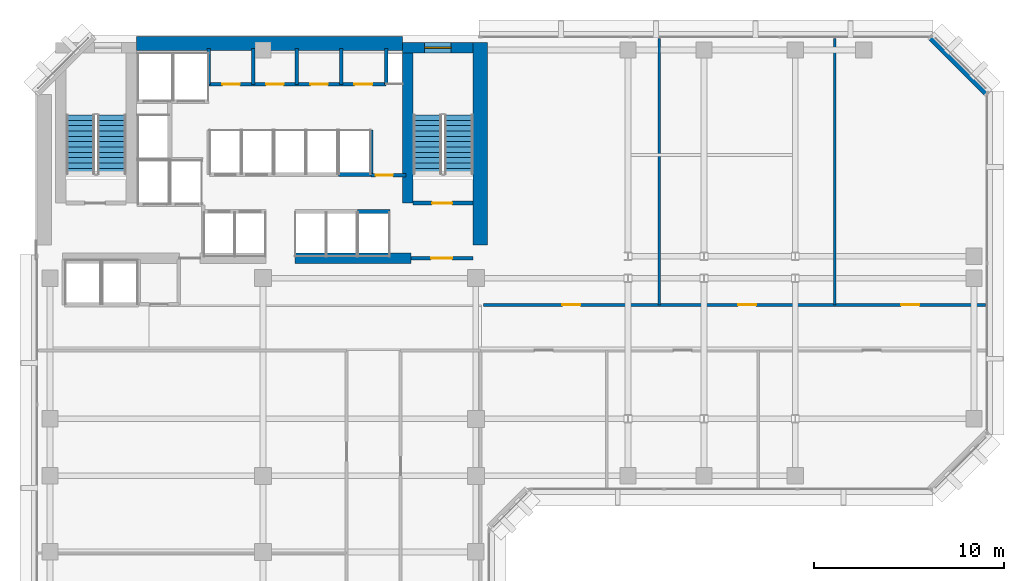
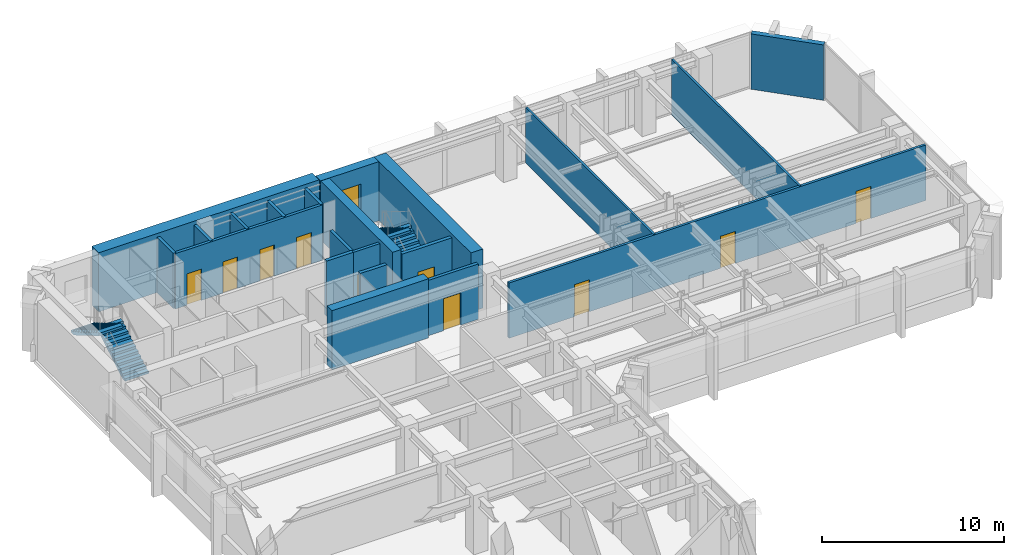
# One storey, part 8 of 12: 21 walls, 10 doors, 4 stair flights, 1 window, 11 openings, 2 elements without a shape of their own.
"""IFC4 building model written with IfcOpenShell, lengths in metres."""

from ifc_helpers import new_model, si_unit, direction, frame, frame_2d, origin, place, context, subcontext, project, spatial, polyline, rectangle, outline, extrude, material, layer, layer_set, type_object, element, fill, aggregate, save


model = new_model("IFC4")

# Units and contexts
model_context = context("Model", 3, precision=1e-05, world=origin(), true_north=direction((0.0, 1.0)))
body_context = subcontext(model_context, "Body", "Model", "MODEL_VIEW")
ifc_project = project(units=[si_unit("LENGTHUNIT", "METRE"), si_unit("AREAUNIT", "SQUARE_METRE"), si_unit("VOLUMEUNIT", "CUBIC_METRE"), si_unit("PLANEANGLEUNIT", "RADIAN"), si_unit("MASSUNIT", "GRAM", prefix="KILO")], contexts=[model_context])

# Site, building, storey
site_placement = place(None, origin())
site = spatial("IfcSite", under=ifc_project, at=site_placement, CompositionType="ELEMENT")
building_placement = place(site_placement, origin())
building = spatial("IfcBuilding", under=site, at=building_placement, Name="Kefirva Bronze Tower", CompositionType="ELEMENT")
storey_placement = place(building_placement, frame((0.0, 0.0, 126.389892578125)))
storey = spatial("IfcBuildingStorey", under=building, at=storey_placement, Name="L30", CompositionType="ELEMENT", Elevation=126.389892578125)

# Walls
ifc_material_1 = material(Name="Gypsum acoustic partition")
ifc_layer_1 = layer(ifc_material_1, 0.1298828125, Name="Gypsum acoustic partition")
ifc_layer_set_1 = layer_set([ifc_layer_1], Name="Gypsum acoustic partition")
wall_type_1 = type_object("IfcWallType", Name="Acoustic Office Partition 130mm", PredefinedType="PARTITIONING", material=ifc_layer_set_1)
for number, where, z_axis, x_axis, name in (
    (1, (32.843505859375, 31.800048828125, 0.0), (0.0, 0.0, 1.0), (0.0, 1.0, 0.0), "L30 Partition W-L30-END1"),
    (2, (42.0869140625, 31.800048828125, 0.0), (0.0, 0.0, 1.0), (0.0, 1.0, 0.0), "L30 Partition W-L30-END2"),
):
    element("IfcWall", number, at=place(storey_placement, frame(where, z_axis=z_axis, x_axis=x_axis)), inside=storey, type_object=wall_type_1, Name=name, PredefinedType="PARTITIONING", context=body_context, shape_type="SweptSolid", body=[
        extrude(rectangle(XDim=14.010009765625, YDim=0.1298828125, at=frame_2d((7.0048828125, 0.0))), origin(), (0.0, 0.0, 1.0), 3.710205078125),
    ])

# Wall, opening, door
ifc_material_2 = material(Name="Gypsum fireboard shaftwall")
ifc_layer_2 = layer(ifc_material_2, 0.219970703125, Name="Gypsum fireboard shaftwall")
ifc_layer_set_2 = layer_set([ifc_layer_2], Name="Gypsum fireboard shaftwall")
wall_type_2 = type_object("IfcWallType", Name="Fire-Rated Shaft Enclosure Wall 220mm", PredefinedType="PARTITIONING", material=ifc_layer_set_2)
wall_1_placement = place(storey_placement, frame((19.89990234375, 37.14990234375, 0.0), z_axis=(0.0, 0.0, 1.0), x_axis=(1.0, 0.0, 0.0)))
wall_1 = element("IfcWall", 3, at=wall_1_placement, inside=storey, type_object=wall_type_2, Name="L30 Partition W-L30-ST2S", PredefinedType="PARTITIONING", context=body_context, shape_type="SweptSolid", body=[
    extrude(rectangle(XDim=3.150146484375, YDim=0.219970703125, at=frame_2d((1.5751953125, 0.0))), origin(), (0.0, 0.0, 1.0), 3.710205078125),
])
opening_1_placement = place(wall_1_placement, frame((2.050048828125, 0.0, 0.0), z_axis=(0.0, 0.0, 1.0), x_axis=(-1.0, 0.0, 0.0)))
opening_1 = element("IfcOpeningElement", 4, at=opening_1_placement, cuts=wall_1, Name="Opening L30-D003", PredefinedType="OPENING", context=body_context, shape_type="SweptSolid", body=[
    extrude(rectangle(XDim=1.050048828125, YDim=2.14990234375, at=frame_2d((0.52490234375, 1.074951171875))), frame((0.0, 0.1201171875, 0.0), z_axis=(0.0, -1.0, 0.0), x_axis=(1.0, 0.0, 0.0)), (0.0, 0.0, 1.0), 0.239990234375),
])
ifc_material_3 = material(Name="Painted galvanized steel", Category="steel")
door_type_1 = type_object("IfcDoorType", Name="Fire Stair Enclosure Door 1050x2150 FD90S", OperationType="NOTDEFINED", PredefinedType="DOOR", material=ifc_material_3)
door_1_placement = place(opening_1_placement, origin())
door_1 = element("IfcDoor", 5, at=door_1_placement, inside=storey, type_object=door_type_1, Name="Door L30-D003", OperationType="SINGLE_SWING_RIGHT", OverallHeight=2.14990234375, OverallWidth=1.050048828125, PredefinedType="DOOR", context=body_context, shape_type="SweptSolid", body=[
    extrude(rectangle(XDim=1.050048828125, YDim=2.14990234375, at=frame_2d((0.52490234375, 1.074951171875))), frame((0.0, 0.02490234375, 0.0), z_axis=(0.0, -1.0, 0.0), x_axis=(1.0, 0.0, 0.0)), (0.0, 0.0, 1.0), 0.050048828125),
])
fill(opening_1, door_1)

# Walls
wall_2_placement = place(storey_placement, frame((17.679931640625, 38.64990234375, 0.0), z_axis=(0.0, 0.0, 1.0), x_axis=(0.0, 1.0, 0.0)))
element("IfcWall", 6, at=wall_2_placement, inside=storey, type_object=wall_type_2, Name="L30 Partition W-L30-HP2E", PredefinedType="PARTITIONING", context=body_context, shape_type="SweptSolid", body=[
    extrude(rectangle(XDim=2.35009765625, YDim=0.199951171875, at=frame_2d((1.175048828125, 0.0))), origin(), (0.0, 0.0, 1.0), 3.710205078125),
])
wall_3_placement = place(storey_placement, frame((16.97998046875, 36.699951171875, 0.0), z_axis=(0.0, 0.0, 1.0), x_axis=(1.0, 0.0, 0.0)))
element("IfcWall", 7, at=wall_3_placement, inside=storey, type_object=wall_type_2, Name="L30 Partition W-L30-HPS", PredefinedType="PARTITIONING", context=body_context, shape_type="SweptSolid", body=[
    extrude(rectangle(XDim=1.699951171875, YDim=0.219970703125, at=frame_2d((0.85009765625, 0.0))), origin(), (0.0, 0.0, 1.0), 3.710205078125),
])
wall_4_placement = place(storey_placement, frame((15.97998046875, 38.64990234375, 0.0), z_axis=(0.0, 0.0, 1.0), x_axis=(1.0, 0.0, 0.0)))
element("IfcWall", 8, at=wall_4_placement, inside=storey, type_object=wall_type_2, Name="L30 Partition W-L30-HPN", PredefinedType="PARTITIONING", context=body_context, shape_type="SweptSolid", body=[
    extrude(rectangle(XDim=1.719970703125, YDim=0.219970703125, at=frame_2d((0.85986328125, 0.0))), origin(), (0.0, 0.0, 1.0), 3.710205078125),
])

# Wall, opening, door
ifc_material_4 = material(Name="Gypsum fireboard barrier")
ifc_layer_3 = layer(ifc_material_4, 0.199951171875, Name="Gypsum fireboard barrier")
ifc_layer_set_3 = layer_set([ifc_layer_3], Name="Gypsum fireboard barrier")
wall_type_3 = type_object("IfcWallType", Name="Firefighting Lobby Barrier Wall 200mm", PredefinedType="PARTITIONING", material=ifc_layer_set_3)
wall_5_placement = place(storey_placement, frame((19.800048828125, 34.25, 0.0), z_axis=(0.0, 0.0, 1.0), x_axis=(1.0, 0.0, 0.0)))
wall_5 = element("IfcWall", 9, at=wall_5_placement, inside=storey, type_object=wall_type_3, Name="L30 Partition W-L30-ST2F", PredefinedType="PARTITIONING", context=body_context, shape_type="SweptSolid", body=[
    extrude(rectangle(XDim=3.25, YDim=0.199951171875, at=frame_2d((1.625, 0.0))), origin(), (0.0, 0.0, 1.0), 3.710205078125),
])
opening_2_placement = place(wall_5_placement, frame((2.150146484375, 0.0, 0.0), z_axis=(0.0, 0.0, 1.0), x_axis=(-1.0, 0.0, 0.0)))
opening_2 = element("IfcOpeningElement", 10, at=opening_2_placement, cuts=wall_5, Name="Opening L30-D004", PredefinedType="OPENING", context=body_context, shape_type="SweptSolid", body=[
    extrude(rectangle(XDim=1.10009765625, YDim=2.14990234375, at=frame_2d((0.550048828125, 1.074951171875))), frame((0.0, 0.10986328125, 0.0), z_axis=(0.0, -1.0, 0.0), x_axis=(1.0, 0.0, 0.0)), (0.0, 0.0, 1.0), 0.219970703125),
])
door_type_2 = type_object("IfcDoorType", Name="Firefighting Lobby Smoke Door 1100x2150 FD60S", OperationType="NOTDEFINED", PredefinedType="DOOR", material=ifc_material_3)
door_2_placement = place(opening_2_placement, origin())
door_2 = element("IfcDoor", 11, at=door_2_placement, inside=storey, type_object=door_type_2, Name="Door L30-D004", OperationType="SINGLE_SWING_LEFT", OverallHeight=2.14990234375, OverallWidth=1.10009765625, PredefinedType="DOOR", context=body_context, shape_type="SweptSolid", body=[
    extrude(rectangle(XDim=1.10009765625, YDim=2.14990234375, at=frame_2d((0.550048828125, 1.074951171875))), frame((0.0, 0.02490234375, 0.0), z_axis=(0.0, -1.0, 0.0), x_axis=(1.0, 0.0, 0.0)), (0.0, 0.0, 1.0), 0.050048828125),
])
fill(opening_2, door_2)

wall_6_placement = place(storey_placement, frame((17.679931640625, 38.6201171875, 0.0), z_axis=(0.0, 0.0, 1.0), x_axis=(1.0, 0.0, 0.0)))
wall_6 = element("IfcWall", 12, at=wall_6_placement, inside=storey, type_object=wall_type_3, Name="L30 Partition W-L30-CPASS", PredefinedType="PARTITIONING", context=body_context, shape_type="SweptSolid", body=[
    extrude(rectangle(XDim=1.840087890625, YDim=0.179931640625, at=frame_2d((0.919921875, 0.0))), origin(), (0.0, 0.0, 1.0), 3.710205078125),
])
opening_3_placement = place(wall_6_placement, frame((0.239990234375, 0.0, 0.0)))
opening_3 = element("IfcOpeningElement", 13, at=opening_3_placement, cuts=wall_6, Name="Opening L30-D-CPAS", PredefinedType="OPENING", context=body_context, shape_type="SweptSolid", body=[
    extrude(rectangle(XDim=0.919921875, YDim=2.10009765625, at=frame_2d((0.4599609375, 1.050048828125))), frame((0.0, 0.10009765625, 0.0), z_axis=(0.0, -1.0, 0.0), x_axis=(1.0, 0.0, 0.0)), (0.0, 0.0, 1.0), 0.199951171875),
])
ifc_material_5 = material(Name="Moisture-resistant timber", Category="wood")
door_type_3 = type_object("IfcDoorType", Name="Accessible Sanitary & WC Door 920x2100", OperationType="NOTDEFINED", PredefinedType="DOOR", material=ifc_material_5)
door_3_placement = place(opening_3_placement, origin())
door_3 = element("IfcDoor", 14, at=door_3_placement, inside=storey, type_object=door_type_3, Name="Door L30-D-CPAS", OperationType="SINGLE_SWING_RIGHT", OverallHeight=2.10009765625, OverallWidth=0.919921875, PredefinedType="DOOR", context=body_context, shape_type="SweptSolid", body=[
    extrude(rectangle(XDim=0.919921875, YDim=2.10009765625, at=frame_2d((0.4599609375, 1.050048828125))), frame((0.0, 0.02490234375, 0.0), z_axis=(0.0, -1.0, 0.0), x_axis=(1.0, 0.0, 0.0)), (0.0, 0.0, 1.0), 0.050048828125),
])
fill(opening_3, door_3)

# Wall
ifc_material_6 = material(Name="Precast concrete C40/50", Category="concrete")
ifc_layer_4 = layer(ifc_material_6, 0.320068359375, Name="Precast concrete C40/50")
ifc_layer_set_4 = layer_set([ifc_layer_4], Name="Precast concrete C40/50")
wall_type_4 = type_object("IfcWallType", Name="Precast Insulated Exterior Wall 320mm", PredefinedType="SOLIDWALL", material=ifc_layer_set_4)
wall_7_placement = place(storey_placement, frame((50.048095703125, 42.92578125, 0.0), z_axis=(0.0, 0.0, 1.0), x_axis=(-0.707136318428, 0.707077242712, 0.0)))
element("IfcWall", 15, at=wall_7_placement, inside=storey, type_object=wall_type_4, Name="L30 Exterior Facade Wall 4", PredefinedType="SOLIDWALL", context=body_context, shape_type="SweptSolid", body=[
    extrude(rectangle(XDim=4.132568359375, YDim=0.320068359375, at=frame_2d((2.06640625, 0.0))), origin(), (0.0, 0.0, 1.0), 3.710205078125),
])

# Wall, openings, doors
ifc_layer_5 = layer(ifc_material_1, 0.159912109375, Name="Gypsum acoustic partition")
ifc_layer_set_5 = layer_set([ifc_layer_5], Name="Gypsum acoustic partition")
wall_type_5 = type_object("IfcWallType", Name="Protected Corridor Partition 160mm", PredefinedType="PARTITIONING", material=ifc_layer_set_5)
wall_8_placement = place(storey_placement, frame((23.60009765625, 31.800048828125, 0.0), z_axis=(0.0, 0.0, 1.0), x_axis=(1.0, 0.0, 0.0)))
wall_8 = element("IfcWall", 16, at=wall_8_placement, inside=storey, type_object=wall_type_5, Name="L30 Partition W-L30-EWN", PredefinedType="PARTITIONING", context=body_context, shape_type="SweptSolid", body=[
    extrude(rectangle(XDim=26.409912109375, YDim=0.159912109375, at=frame_2d((13.205078125, 0.0))), origin(), (0.0, 0.0, 1.0), 3.710205078125),
])
opening_4_placement = place(wall_8_placement, frame((4.146728515625, 0.0, 0.0)))
opening_4 = element("IfcOpeningElement", 17, at=opening_4_placement, cuts=wall_8, Name="Opening L30-D-EN1", PredefinedType="OPENING", context=body_context, shape_type="SweptSolid", body=[
    extrude(rectangle(XDim=0.949951171875, YDim=2.14990234375, at=frame_2d((0.47509765625, 1.074951171875))), frame((0.0, 0.08984375, 0.0), z_axis=(0.0, -1.0, 0.0), x_axis=(1.0, 0.0, 0.0)), (0.0, 0.0, 1.0), 0.179931640625),
])
opening_5_placement = place(wall_8_placement, frame((13.39013671875, 0.0, 0.0)))
opening_5 = element("IfcOpeningElement", 18, at=opening_5_placement, cuts=wall_8, Name="Opening L30-D-EN2", PredefinedType="OPENING", context=body_context, shape_type="SweptSolid", body=[
    extrude(rectangle(XDim=0.949951171875, YDim=2.14990234375, at=frame_2d((0.47509765625, 1.074951171875))), frame((0.0, 0.08984375, 0.0), z_axis=(0.0, -1.0, 0.0), x_axis=(1.0, 0.0, 0.0)), (0.0, 0.0, 1.0), 0.179931640625),
])
opening_6_placement = place(wall_8_placement, frame((21.973388671875, 0.0, 0.0)))
opening_6 = element("IfcOpeningElement", 19, at=opening_6_placement, cuts=wall_8, Name="Opening L30-D-EN3", PredefinedType="OPENING", context=body_context, shape_type="SweptSolid", body=[
    extrude(rectangle(XDim=0.949951171875, YDim=2.14990234375, at=frame_2d((0.47509765625, 1.074951171875))), frame((0.0, 0.08984375, 0.0), z_axis=(0.0, -1.0, 0.0), x_axis=(1.0, 0.0, 0.0)), (0.0, 0.0, 1.0), 0.179931640625),
])
ifc_material_7 = material(Name="Acoustic hardwood oak", Category="wood")
door_type_4 = type_object("IfcDoorType", Name="Office & Meeting Room Door 950x2150", OperationType="NOTDEFINED", PredefinedType="DOOR", material=ifc_material_7)
door_4_placement = place(opening_4_placement, origin())
door_4 = element("IfcDoor", 20, at=door_4_placement, inside=storey, type_object=door_type_4, Name="Door L30-D-EN1", OperationType="SINGLE_SWING_LEFT", OverallHeight=2.14990234375, OverallWidth=0.949951171875, PredefinedType="DOOR", context=body_context, shape_type="SweptSolid", body=[
    extrude(rectangle(XDim=0.949951171875, YDim=2.14990234375, at=frame_2d((0.47509765625, 1.074951171875))), frame((0.0, 0.02490234375, 0.0), z_axis=(0.0, -1.0, 0.0), x_axis=(1.0, 0.0, 0.0)), (0.0, 0.0, 1.0), 0.050048828125),
])
fill(opening_4, door_4)
door_5_placement = place(opening_5_placement, origin())
door_5 = element("IfcDoor", 21, at=door_5_placement, inside=storey, type_object=door_type_4, Name="Door L30-D-EN2", OperationType="SINGLE_SWING_RIGHT", OverallHeight=2.14990234375, OverallWidth=0.949951171875, PredefinedType="DOOR", context=body_context, shape_type="SweptSolid", body=[
    extrude(rectangle(XDim=0.949951171875, YDim=2.14990234375, at=frame_2d((0.47509765625, 1.074951171875))), frame((0.0, 0.02490234375, 0.0), z_axis=(0.0, -1.0, 0.0), x_axis=(1.0, 0.0, 0.0)), (0.0, 0.0, 1.0), 0.050048828125),
])
fill(opening_5, door_5)
door_6_placement = place(opening_6_placement, origin())
door_6 = element("IfcDoor", 22, at=door_6_placement, inside=storey, type_object=door_type_4, Name="Door L30-D-EN3", OperationType="SINGLE_SWING_LEFT", OverallHeight=2.14990234375, OverallWidth=0.949951171875, PredefinedType="DOOR", context=body_context, shape_type="SweptSolid", body=[
    extrude(rectangle(XDim=0.949951171875, YDim=2.14990234375, at=frame_2d((0.47509765625, 1.074951171875))), frame((0.0, 0.02490234375, 0.0), z_axis=(0.0, -1.0, 0.0), x_axis=(1.0, 0.0, 0.0)), (0.0, 0.0, 1.0), 0.050048828125),
])
fill(opening_6, door_6)

# Wall, opening, window
ifc_material_8 = material(Name="Concrete C50/60", Category="concrete")
ifc_layer_6 = layer(ifc_material_8, 0.550048828125, Name="Concrete C50/60")
ifc_layer_set_6 = layer_set([ifc_layer_6], Name="Concrete C50/60")
wall_type_6 = type_object("IfcWallType", Name="RC Rear Core Exterior Wall 550mm", PredefinedType="SHEAR", material=ifc_layer_set_6)
wall_9_placement = place(storey_placement, frame((19.35009765625, 45.320068359375, 0.0), z_axis=(0.0, 0.0, 1.0), x_axis=(1.0, 0.0, 0.0)))
wall_9 = element("IfcWall", 23, at=wall_9_placement, inside=storey, type_object=wall_type_6, Name="L30 Stair 2 North Shear Wall", PredefinedType="SHEAR", context=body_context, shape_type="SweptSolid", body=[
    extrude(rectangle(XDim=3.68994140625, YDim=0.550048828125, at=frame_2d((1.844970703125, 0.0))), origin(), (0.0, 0.0, 1.0), 3.960205078125),
])
opening_7_placement = place(wall_9_placement, frame((1.14990234375, 0.0, 1.050048828125)))
opening_7 = element("IfcOpeningElement", 24, at=opening_7_placement, cuts=wall_9, Name="Opening WN-03", PredefinedType="OPENING", context=body_context, shape_type="SweptSolid", body=[
    extrude(rectangle(XDim=1.39990234375, YDim=1.800048828125, at=frame_2d((0.699951171875, 0.89990234375))), frame((0.0, 0.28515625, 0.0), z_axis=(0.0, -1.0, 0.0), x_axis=(1.0, 0.0, 0.0)), (0.0, 0.0, 1.0), 0.570068359375),
])
ifc_material_9 = material(Name="Laminated low-E double glazing", Category="glass")
window_type = type_object("IfcWindowType", Name="Rear-Core Stair Daylight Window 1400x1800", PartitioningType="SINGLE_PANEL", PredefinedType="WINDOW", material=ifc_material_9)
window_placement = place(opening_7_placement, origin())
window = element("IfcWindow", 25, at=window_placement, inside=storey, type_object=window_type, Name="L30 Stair 2 Daylight Window", OverallHeight=1.800048828125, OverallWidth=1.39990234375, PartitioningType="SINGLE_PANEL", PredefinedType="WINDOW", context=body_context, shape_type="SweptSolid", body=[
    extrude(rectangle(XDim=1.39990234375, YDim=1.800048828125, at=frame_2d((0.699951171875, 0.89990234375))), frame((0.0, 0.030029296875, 0.0), z_axis=(0.0, -1.0, 0.0), x_axis=(1.0, 0.0, 0.0)), (0.0, 0.0, 1.0), 0.06005859375),
])
fill(opening_7, window)

# Walls
ifc_material_10 = material(Name="Concrete C60/75", Category="concrete")
ifc_layer_7 = layer(ifc_material_10, 0.75, Name="Concrete C60/75")
ifc_layer_set_7 = layer_set([ifc_layer_7], Name="Concrete C60/75")
wall_type_7 = type_object("IfcWallType", Name="RC Rear Core Exterior Wall 750mm", PredefinedType="SHEAR", material=ifc_layer_set_7)
wall_10_placement = place(storey_placement, frame((5.360107421875, 45.550048828125, 0.0), z_axis=(0.0, 0.0, 1.0), x_axis=(1.0, 0.0, 0.0)))
element("IfcWall", 26, at=wall_10_placement, inside=storey, type_object=wall_type_7, Name="L30 Rear Core North Shear Wall", PredefinedType="SHEAR", context=body_context, shape_type="SweptSolid", body=[
    extrude(rectangle(XDim=13.97998046875, YDim=0.75, at=frame_2d((6.989990234375, 0.0))), origin(), (0.0, 0.0, 1.0), 3.960205078125),
])
ifc_layer_8 = layer(ifc_material_8, 0.550048828125, Name="Concrete C50/60")
ifc_layer_set_8 = layer_set([ifc_layer_8], Name="Concrete C50/60")
wall_type_8 = type_object("IfcWallType", Name="RC Rear Core Interior Wall 550mm", PredefinedType="SHEAR", material=ifc_layer_set_8)
wall_11_placement = place(storey_placement, frame((19.6201171875, 37.14990234375, 0.0), z_axis=(0.0, 0.0, 1.0), x_axis=(0.0, 1.0, 0.0)))
element("IfcWall", 27, at=wall_11_placement, inside=storey, type_object=wall_type_8, Name="L30 Stair 2 West Shear Wall", PredefinedType="SHEAR", context=body_context, shape_type="SweptSolid", body=[
    extrude(rectangle(XDim=7.89013671875, YDim=0.550048828125, at=frame_2d((3.945068359375, 0.0))), origin(), (0.0, 0.0, 1.0), 3.960205078125),
])
ifc_layer_9 = layer(ifc_material_10, 0.75, Name="Concrete C60/75")
ifc_layer_set_9 = layer_set([ifc_layer_9], Name="Concrete C60/75")
wall_type_9 = type_object("IfcWallType", Name="RC Rear Core Interior Wall 750mm", PredefinedType="SHEAR", material=ifc_layer_set_9)
wall_12_placement = place(storey_placement, frame((23.425048828125, 34.949951171875, 0.0), z_axis=(0.0, 0.0, 1.0), x_axis=(0.0, 1.0, 0.0)))
element("IfcWall", 28, at=wall_12_placement, inside=storey, type_object=wall_type_9, Name="L30 Rear Core East Shear Wall", PredefinedType="SHEAR", context=body_context, shape_type="SweptSolid", body=[
    extrude(rectangle(XDim=10.64013671875, YDim=0.75, at=frame_2d((5.320068359375, 0.0))), origin(), (0.0, 0.0, 1.0), 3.960205078125),
])
wall_13_placement = place(storey_placement, frame((13.679931640625, 34.25, 0.0), z_axis=(0.0, 0.0, 1.0), x_axis=(1.0, 0.0, 0.0)))
element("IfcWall", 29, at=wall_13_placement, inside=storey, type_object=wall_type_9, Name="L30 Rear Core South-East Shear Wall", PredefinedType="SHEAR", context=body_context, shape_type="SweptSolid", body=[
    extrude(rectangle(XDim=6.1201171875, YDim=0.550048828125, at=frame_2d((3.06005859375, 0.0))), origin(), (0.0, 0.0, 1.0), 3.960205078125),
])

# Wall, openings, doors
ifc_material_11 = material(Name="Moisture-resistant partition")
ifc_layer_10 = layer(ifc_material_11, 0.179931640625, Name="Moisture-resistant partition")
ifc_layer_set_10 = layer_set([ifc_layer_10], Name="Moisture-resistant partition")
wall_type_10 = type_object("IfcWallType", Name="Sanitary Plumbing Chase Wall 180mm", PredefinedType="PLUMBINGWALL", material=ifc_layer_set_10)
wall_14_placement = place(storey_placement, frame((9.14990234375, 43.39990234375, 0.0), z_axis=(0.0, 0.0, 1.0), x_axis=(1.0, 0.0, 0.0)))
wall_14 = element("IfcWall", 30, at=wall_14_placement, inside=storey, type_object=wall_type_10, Name="L30 Partition W-L30-SVCS", PredefinedType="PLUMBINGWALL", context=body_context, shape_type="SweptSolid", body=[
    extrude(rectangle(XDim=9.330078125, YDim=0.179931640625, at=frame_2d((4.6650390625, 0.0))), origin(), (0.0, 0.0, 1.0), 3.710205078125),
])
opening_8_placement = place(wall_14_placement, frame((0.719970703125, 0.0, 0.0)))
opening_8 = element("IfcOpeningElement", 31, at=opening_8_placement, cuts=wall_14, Name="Opening L30-D-CSVC1", PredefinedType="OPENING", context=body_context, shape_type="SweptSolid", body=[
    extrude(rectangle(XDim=0.919921875, YDim=2.10009765625, at=frame_2d((0.4599609375, 1.050048828125))), frame((0.0, 0.10009765625, 0.0), z_axis=(0.0, -1.0, 0.0), x_axis=(1.0, 0.0, 0.0)), (0.0, 0.0, 1.0), 0.199951171875),
])
opening_9_placement = place(wall_14_placement, frame((3.02001953125, 0.0, 0.0)))
opening_9 = element("IfcOpeningElement", 32, at=opening_9_placement, cuts=wall_14, Name="Opening L30-D-CSVC2", PredefinedType="OPENING", context=body_context, shape_type="SweptSolid", body=[
    extrude(rectangle(XDim=0.919921875, YDim=2.10009765625, at=frame_2d((0.4599609375, 1.050048828125))), frame((0.0, 0.10009765625, 0.0), z_axis=(0.0, -1.0, 0.0), x_axis=(1.0, 0.0, 0.0)), (0.0, 0.0, 1.0), 0.199951171875),
])
opening_10_placement = place(wall_14_placement, frame((5.340087890625, 0.0, 0.0)))
opening_10 = element("IfcOpeningElement", 33, at=opening_10_placement, cuts=wall_14, Name="Opening L30-D-CSVC3", PredefinedType="OPENING", context=body_context, shape_type="SweptSolid", body=[
    extrude(rectangle(XDim=0.919921875, YDim=2.10009765625, at=frame_2d((0.4599609375, 1.050048828125))), frame((0.0, 0.10009765625, 0.0), z_axis=(0.0, -1.0, 0.0), x_axis=(1.0, 0.0, 0.0)), (0.0, 0.0, 1.0), 0.199951171875),
])
opening_11_placement = place(wall_14_placement, frame((7.659912109375, 0.0, 0.0)))
opening_11 = element("IfcOpeningElement", 34, at=opening_11_placement, cuts=wall_14, Name="Opening L30-D-CSVC4", PredefinedType="OPENING", context=body_context, shape_type="SweptSolid", body=[
    extrude(rectangle(XDim=0.949951171875, YDim=2.10009765625, at=frame_2d((0.47509765625, 1.050048828125))), frame((0.0, 0.10009765625, 0.0), z_axis=(0.0, -1.0, 0.0), x_axis=(1.0, 0.0, 0.0)), (0.0, 0.0, 1.0), 0.199951171875),
])
door_7_placement = place(opening_8_placement, origin())
door_7 = element("IfcDoor", 35, at=door_7_placement, inside=storey, type_object=door_type_3, Name="Door L30-D-CSVC1", OperationType="SINGLE_SWING_RIGHT", OverallHeight=2.10009765625, OverallWidth=0.919921875, PredefinedType="DOOR", context=body_context, shape_type="SweptSolid", body=[
    extrude(rectangle(XDim=0.919921875, YDim=2.10009765625, at=frame_2d((0.4599609375, 1.050048828125))), frame((0.0, 0.02490234375, 0.0), z_axis=(0.0, -1.0, 0.0), x_axis=(1.0, 0.0, 0.0)), (0.0, 0.0, 1.0), 0.050048828125),
])
fill(opening_8, door_7)
door_8_placement = place(opening_9_placement, origin())
door_8 = element("IfcDoor", 36, at=door_8_placement, inside=storey, type_object=door_type_3, Name="Door L30-D-CSVC2", OperationType="SINGLE_SWING_LEFT", OverallHeight=2.10009765625, OverallWidth=0.919921875, PredefinedType="DOOR", context=body_context, shape_type="SweptSolid", body=[
    extrude(rectangle(XDim=0.919921875, YDim=2.10009765625, at=frame_2d((0.4599609375, 1.050048828125))), frame((0.0, 0.02490234375, 0.0), z_axis=(0.0, -1.0, 0.0), x_axis=(1.0, 0.0, 0.0)), (0.0, 0.0, 1.0), 0.050048828125),
])
fill(opening_9, door_8)
door_9_placement = place(opening_10_placement, origin())
door_9 = element("IfcDoor", 37, at=door_9_placement, inside=storey, type_object=door_type_3, Name="Door L30-D-CSVC3", OperationType="SINGLE_SWING_RIGHT", OverallHeight=2.10009765625, OverallWidth=0.919921875, PredefinedType="DOOR", context=body_context, shape_type="SweptSolid", body=[
    extrude(rectangle(XDim=0.919921875, YDim=2.10009765625, at=frame_2d((0.4599609375, 1.050048828125))), frame((0.0, 0.02490234375, 0.0), z_axis=(0.0, -1.0, 0.0), x_axis=(1.0, 0.0, 0.0)), (0.0, 0.0, 1.0), 0.050048828125),
])
fill(opening_10, door_9)
door_type_5 = type_object("IfcDoorType", Name="Riser & Plant Shaft Fire Door 950x2100 FD60S", OperationType="NOTDEFINED", PredefinedType="DOOR", material=ifc_material_3)
door_10_placement = place(opening_11_placement, origin())
door_10 = element("IfcDoor", 38, at=door_10_placement, inside=storey, type_object=door_type_5, Name="Door L30-D-CSVC4", OperationType="SINGLE_SWING_LEFT", OverallHeight=2.10009765625, OverallWidth=0.949951171875, PredefinedType="DOOR", context=body_context, shape_type="SweptSolid", body=[
    extrude(rectangle(XDim=0.949951171875, YDim=2.10009765625, at=frame_2d((0.47509765625, 1.050048828125))), frame((0.0, 0.02490234375, 0.0), z_axis=(0.0, -1.0, 0.0), x_axis=(1.0, 0.0, 0.0)), (0.0, 0.0, 1.0), 0.050048828125),
])
fill(opening_11, door_10)

# Walls
for number, where, z_axis, x_axis, name in (
    (39, (9.14990234375, 43.39990234375, 0.0), (0.0, 0.0, 1.0), (0.0, 1.0, 0.0), "L30 Partition W-L30-SVCW"),
    (40, (18.47998046875, 43.39990234375, 0.0), (0.0, 0.0, 1.0), (0.0, 1.0, 0.0), "L30 Partition W-L30-SVCE"),
    (41, (11.47998046875, 43.39990234375, 0.0), (0.0, 0.0, 1.0), (0.0, 1.0, 0.0), "L30 Partition W-L30-CSVD-1"),
    (42, (13.780029296875, 43.39990234375, 0.0), (0.0, 0.0, 1.0), (0.0, 1.0, 0.0), "L30 Partition W-L30-CSVD-2"),
    (43, (16.1201171875, 43.39990234375, 0.0), (0.0, 0.0, 1.0), (0.0, 1.0, 0.0), "L30 Partition W-L30-CSVD-3"),
):
    element("IfcWall", number, at=place(storey_placement, frame(where, z_axis=z_axis, x_axis=x_axis)), inside=storey, type_object=wall_type_10, Name=name, PredefinedType="PLUMBINGWALL", context=body_context, shape_type="SweptSolid", body=[
        extrude(rectangle(XDim=1.880126953125, YDim=0.179931640625, at=frame_2d((0.93994140625, 0.0))), origin(), (0.0, 0.0, 1.0), 3.710205078125),
    ])

# Stair, stair flights
ifc_material_12 = material(Name="Concrete C40/50", Category="concrete")
stair_type = type_object("IfcStairType", Name="RC Dogleg Protected Stair 24R", PredefinedType="HALF_TURN_STAIR", material=ifc_material_12)
stair_1_placement = place(storey_placement, origin())
stair_1 = element("IfcStair", 44, at=stair_1_placement, inside=storey, type_object=stair_type, Name="L30 Protected Exit Stair 1", PredefinedType="HALF_TURN_STAIR")
stair_flight_type = type_object("IfcStairFlightType", Name="RC Straight Stair Flight 24R", PredefinedType="STRAIGHT", material=ifc_material_12)
stair_flight_1_placement = place(storey_placement, frame((4.050048828125, 38.699951171875, 0.0), z_axis=(0.0, 0.0, 1.0), x_axis=(0.0, 1.0, 0.0)))
stair_flight_1 = element("IfcStairFlight", 45, at=stair_flight_1_placement, type_object=stair_flight_type, Name="ST-1 flight 1", NumberOfRisers=12, NumberOfTreads=11, PredefinedType="STRAIGHT", RiserHeight=0.165, TreadLength=0.28, context=body_context, shape_type="SweptSolid", body=[
    extrude(outline(polyline([(0.0, 0.0), (0.0, 0.1650390625), (0.280029296875, 0.1650390625), (0.280029296875, 0.330078125), (0.56005859375, 0.330078125), (0.56005859375, 0.4951171875), (0.840087890625, 0.4951171875), (0.840087890625, 0.659912109375), (1.1201171875, 0.659912109375), (1.1201171875, 0.824951171875), (1.39990234375, 0.824951171875), (1.39990234375, 0.989990234375), (1.679931640625, 0.989990234375), (1.679931640625, 1.155029296875), (1.9599609375, 1.155029296875), (1.9599609375, 1.320068359375), (2.239990234375, 1.320068359375), (2.239990234375, 1.485107421875), (2.52001953125, 1.485107421875), (2.52001953125, 1.64990234375), (2.800048828125, 1.64990234375), (2.800048828125, 1.81494140625), (3.080078125, 1.81494140625), (3.080078125, 1.97998046875), (3.080078125, 1.64111328125), (0.295166015625, 0.0), (0.0, 0.0)])), frame((0.0, 0.75, 0.0), z_axis=(0.0, -1.0, 0.0), x_axis=(1.0, 0.0, 0.0)), (0.0, 0.0, 1.0), 1.5),
])
stair_flight_2_placement = place(storey_placement, frame((2.39990234375, 41.780029296875, 1.980224609375), z_axis=(0.0, 0.0, 1.0), x_axis=(0.0, -1.0, 0.0)))
stair_flight_2 = element("IfcStairFlight", 46, at=stair_flight_2_placement, type_object=stair_flight_type, Name="ST-1 flight 2", NumberOfRisers=12, NumberOfTreads=11, PredefinedType="STRAIGHT", RiserHeight=0.165, TreadLength=0.28, context=body_context, shape_type="SweptSolid", body=[
    extrude(outline(polyline([(0.0, 0.0), (0.0, 0.1650390625), (0.280029296875, 0.1650390625), (0.280029296875, 0.330078125), (0.56005859375, 0.330078125), (0.56005859375, 0.4951171875), (0.840087890625, 0.4951171875), (0.840087890625, 0.659912109375), (1.1201171875, 0.659912109375), (1.1201171875, 0.824951171875), (1.39990234375, 0.824951171875), (1.39990234375, 0.989990234375), (1.679931640625, 0.989990234375), (1.679931640625, 1.155029296875), (1.9599609375, 1.155029296875), (1.9599609375, 1.320068359375), (2.239990234375, 1.320068359375), (2.239990234375, 1.485107421875), (2.52001953125, 1.485107421875), (2.52001953125, 1.64990234375), (2.800048828125, 1.64990234375), (2.800048828125, 1.81494140625), (3.080078125, 1.81494140625), (3.080078125, 1.97998046875), (3.080078125, 1.64111328125), (0.295166015625, 0.0), (0.0, 0.0)])), frame((0.0, 0.75, 0.0), z_axis=(0.0, -1.0, 0.0), x_axis=(1.0, 0.0, 0.0)), (0.0, 0.0, 1.0), 1.5),
])
aggregate(stair_1, [stair_flight_1, stair_flight_2])

stair_2_placement = place(storey_placement, origin())
stair_2 = element("IfcStair", 47, at=stair_2_placement, inside=storey, type_object=stair_type, Name="L30 Protected Exit Stair 2", PredefinedType="HALF_TURN_STAIR")
stair_flight_3_placement = place(storey_placement, frame((22.300048828125, 38.699951171875, 0.0), z_axis=(0.0, 0.0, 1.0), x_axis=(0.0, 1.0, 0.0)))
stair_flight_3 = element("IfcStairFlight", 48, at=stair_flight_3_placement, type_object=stair_flight_type, Name="ST-2 flight 1", NumberOfRisers=12, NumberOfTreads=11, PredefinedType="STRAIGHT", RiserHeight=0.165, TreadLength=0.28, context=body_context, shape_type="SweptSolid", body=[
    extrude(outline(polyline([(0.0, 0.0), (0.0, 0.1650390625), (0.280029296875, 0.1650390625), (0.280029296875, 0.330078125), (0.56005859375, 0.330078125), (0.56005859375, 0.4951171875), (0.840087890625, 0.4951171875), (0.840087890625, 0.659912109375), (1.1201171875, 0.659912109375), (1.1201171875, 0.824951171875), (1.39990234375, 0.824951171875), (1.39990234375, 0.989990234375), (1.679931640625, 0.989990234375), (1.679931640625, 1.155029296875), (1.9599609375, 1.155029296875), (1.9599609375, 1.320068359375), (2.239990234375, 1.320068359375), (2.239990234375, 1.485107421875), (2.52001953125, 1.485107421875), (2.52001953125, 1.64990234375), (2.800048828125, 1.64990234375), (2.800048828125, 1.81494140625), (3.080078125, 1.81494140625), (3.080078125, 1.97998046875), (3.080078125, 1.64111328125), (0.295166015625, 0.0), (0.0, 0.0)])), frame((0.0, 0.75, 0.0), z_axis=(0.0, -1.0, 0.0), x_axis=(1.0, 0.0, 0.0)), (0.0, 0.0, 1.0), 1.5),
])
stair_flight_4_placement = place(storey_placement, frame((20.64990234375, 41.780029296875, 1.980224609375), z_axis=(0.0, 0.0, 1.0), x_axis=(0.0, -1.0, 0.0)))
stair_flight_4 = element("IfcStairFlight", 49, at=stair_flight_4_placement, type_object=stair_flight_type, Name="ST-2 flight 2", NumberOfRisers=12, NumberOfTreads=11, PredefinedType="STRAIGHT", RiserHeight=0.165, TreadLength=0.28, context=body_context, shape_type="SweptSolid", body=[
    extrude(outline(polyline([(0.0, 0.0), (0.0, 0.1650390625), (0.280029296875, 0.1650390625), (0.280029296875, 0.330078125), (0.56005859375, 0.330078125), (0.56005859375, 0.4951171875), (0.840087890625, 0.4951171875), (0.840087890625, 0.659912109375), (1.1201171875, 0.659912109375), (1.1201171875, 0.824951171875), (1.39990234375, 0.824951171875), (1.39990234375, 0.989990234375), (1.679931640625, 0.989990234375), (1.679931640625, 1.155029296875), (1.9599609375, 1.155029296875), (1.9599609375, 1.320068359375), (2.239990234375, 1.320068359375), (2.239990234375, 1.485107421875), (2.52001953125, 1.485107421875), (2.52001953125, 1.64990234375), (2.800048828125, 1.64990234375), (2.800048828125, 1.81494140625), (3.080078125, 1.81494140625), (3.080078125, 1.97998046875), (3.080078125, 1.64111328125), (0.295166015625, 0.0), (0.0, 0.0)])), frame((0.0, 0.75, 0.0), z_axis=(0.0, -1.0, 0.0), x_axis=(1.0, 0.0, 0.0)), (0.0, 0.0, 1.0), 1.5),
])
aggregate(stair_2, [stair_flight_3, stair_flight_4])

save(model, "model.ifc")
